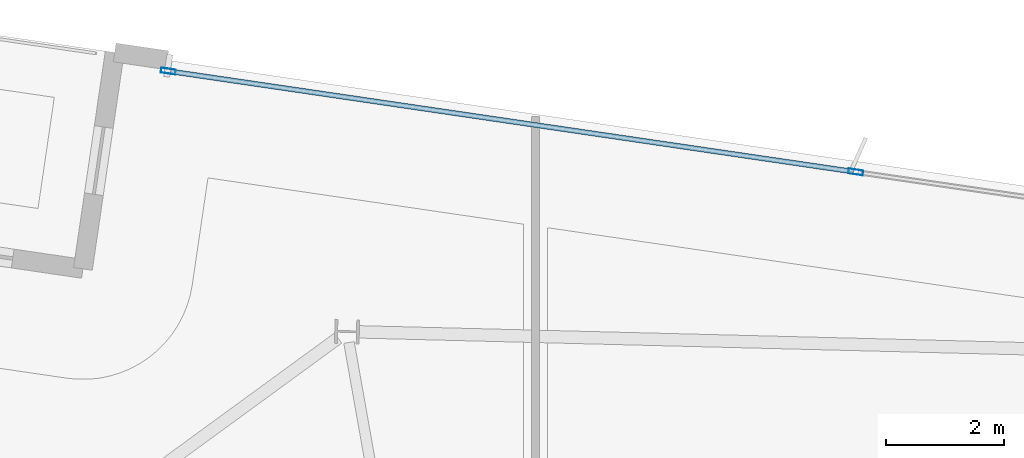
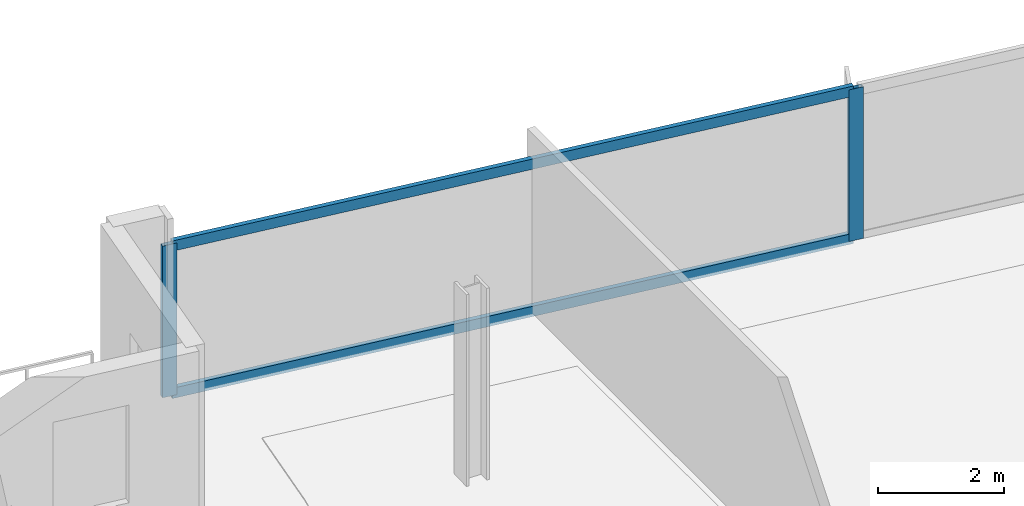
# One storey, part 13 of 22: 4 members, 1 element without a shape of its own.
"""IFC4 building model written with IfcOpenShell, lengths in metres."""

from ifc_helpers import new_model, si_unit, direction, frame, origin, origin_2d, place, context, subcontext, project, spatial, hollow_rectangle, extrude, material, material_profile, profile_set, type_object, element, aggregate, save


model = new_model("IFC4")

# Units and contexts
model_context = context("Model", 3, precision=1e-05, world=origin(), true_north=direction((0.0, 1.0)))
body_context = subcontext(model_context, "Body", "Model", "MODEL_VIEW")
ifc_project = project(units=[si_unit("LENGTHUNIT", "METRE"), si_unit("AREAUNIT", "SQUARE_METRE"), si_unit("VOLUMEUNIT", "CUBIC_METRE"), si_unit("PLANEANGLEUNIT", "RADIAN"), si_unit("MASSUNIT", "GRAM", prefix="KILO")], contexts=[model_context])

# Site, building, storey
site_placement = place(None, origin())
site = spatial("IfcSite", under=ifc_project, at=site_placement, CompositionType="ELEMENT")
building_placement = place(site_placement, origin())
building = spatial("IfcBuilding", under=site, at=building_placement, Name="Haldenkirk Collegiate Tower", CompositionType="ELEMENT")
storey_placement = place(building_placement, frame((0.0, 0.0, 302.699951171875)))
storey = spatial("IfcBuildingStorey", under=building, at=storey_placement, Name="L76", CompositionType="ELEMENT", Elevation=302.699951171875)

# Curtain wall, members
ifc_material = material(Name="Anodised architectural bronze aluminium", Category="aluminium")
curtain_wall_type = type_object("IfcCurtainWallType", Name="CW-SYS1B-CONVEX-HI", PredefinedType="USERDEFINED", material=ifc_material)
curtain_wall_placement = place(storey_placement, origin())
curtain_wall = element("IfcCurtainWall", 1, at=curtain_wall_placement, inside=storey, type_object=curtain_wall_type, Name="L76 Upper tower high-wind convex bronze unitised curtain wall", ObjectType="UNITISED CURTAIN WALL", PredefinedType="USERDEFINED")
ifc_material_profile_1 = material_profile(ifc_material, hollow_rectangle(XDim=0.0849609375, YDim=0.25, WallThickness=0.0048828125, at=origin_2d()), Name="CW-MUL-1B")
ifc_profile_set_1 = profile_set([ifc_material_profile_1], Name="Anodised architectural bronze aluminium")
member_type_1 = type_object("IfcMemberType", Name="CW-MUL-1B", PredefinedType="MULLION", material=ifc_profile_set_1)
member_1_placement = place(storey_placement, frame((21.78564453125, 50.74658203125, 0.0), z_axis=(0.0, 0.0, 1.0), x_axis=(0.145220487627, 0.989399317755, 0.0)))
member_1 = element("IfcMember", 2, at=member_1_placement, type_object=member_type_1, Name="CW-1B mullion 1", PredefinedType="MULLION", context=body_context, shape_type="SweptSolid", body=[
    extrude(hollow_rectangle(XDim=0.0849609375, YDim=0.25, WallThickness=0.0048828125, at=origin_2d()), origin(), (0.0, 0.0, 1.0), 2.947998046875),
])
member_2_placement = place(storey_placement, frame((33.41845703125, 49.0390625, 0.0), z_axis=(0.0, 0.0, 1.0), x_axis=(0.145220487627, 0.989399317755, 0.0)))
member_2 = element("IfcMember", 3, at=member_2_placement, type_object=member_type_1, Name="CW-1B mullion 2", PredefinedType="MULLION", context=body_context, shape_type="SweptSolid", body=[
    extrude(hollow_rectangle(XDim=0.0849609375, YDim=0.25, WallThickness=0.0048828125, at=origin_2d()), origin(), (0.0, 0.0, 1.0), 2.947998046875),
])
ifc_material_profile_2 = material_profile(ifc_material, hollow_rectangle(XDim=0.0849609375, YDim=0.199951171875, WallThickness=0.0048828125, at=origin_2d()), Name="CW-TRN-1B")
ifc_profile_set_2 = profile_set([ifc_material_profile_2], Name="Anodised architectural bronze aluminium")
member_type_2 = type_object("IfcMemberType", Name="CW-TRN-1B", PredefinedType="USERDEFINED", material=ifc_profile_set_2)
member_3_placement = place(storey_placement, frame((21.82763671875, 50.740234375, 0.04248046875), z_axis=(0.989399653335, -0.145218201275, 0.0), x_axis=(0.145218201275, 0.989399653335, 0.0)))
member_3 = element("IfcMember", 4, at=member_3_placement, type_object=member_type_2, Name="CW-1B transom 1.1", ObjectType="TRANSOM", PredefinedType="USERDEFINED", context=body_context, shape_type="SweptSolid", body=[
    extrude(hollow_rectangle(XDim=0.0849609375, YDim=0.199951171875, WallThickness=0.0048828125, at=origin_2d()), origin(), (0.0, 0.0, 1.0), 11.672607421875),
])
member_4_placement = place(storey_placement, frame((21.82763671875, 50.740234375, 2.905517578125), z_axis=(0.989399653335, -0.145218201275, 0.0), x_axis=(0.145218201275, 0.989399653335, 0.0)))
member_4 = element("IfcMember", 5, at=member_4_placement, type_object=member_type_2, Name="CW-1B transom 1.2", ObjectType="TRANSOM", PredefinedType="USERDEFINED", context=body_context, shape_type="SweptSolid", body=[
    extrude(hollow_rectangle(XDim=0.0849609375, YDim=0.199951171875, WallThickness=0.0048828125, at=origin_2d()), origin(), (0.0, 0.0, 1.0), 11.672607421875),
])
aggregate(curtain_wall, [member_1, member_2, member_3, member_4])

save(model, "model.ifc")
